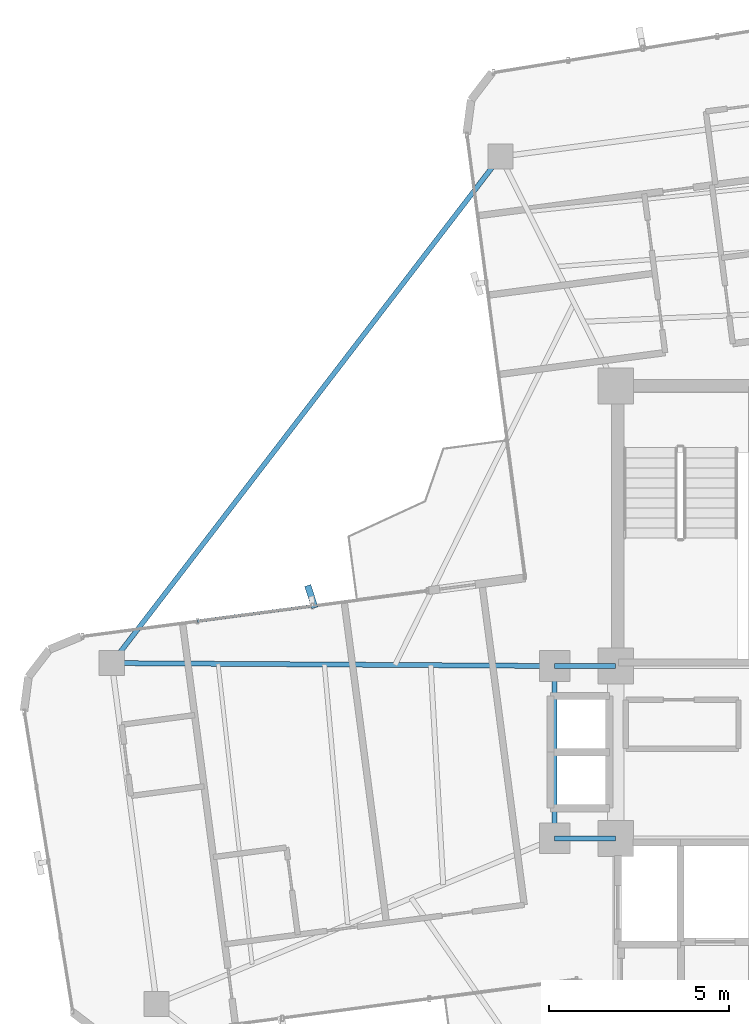
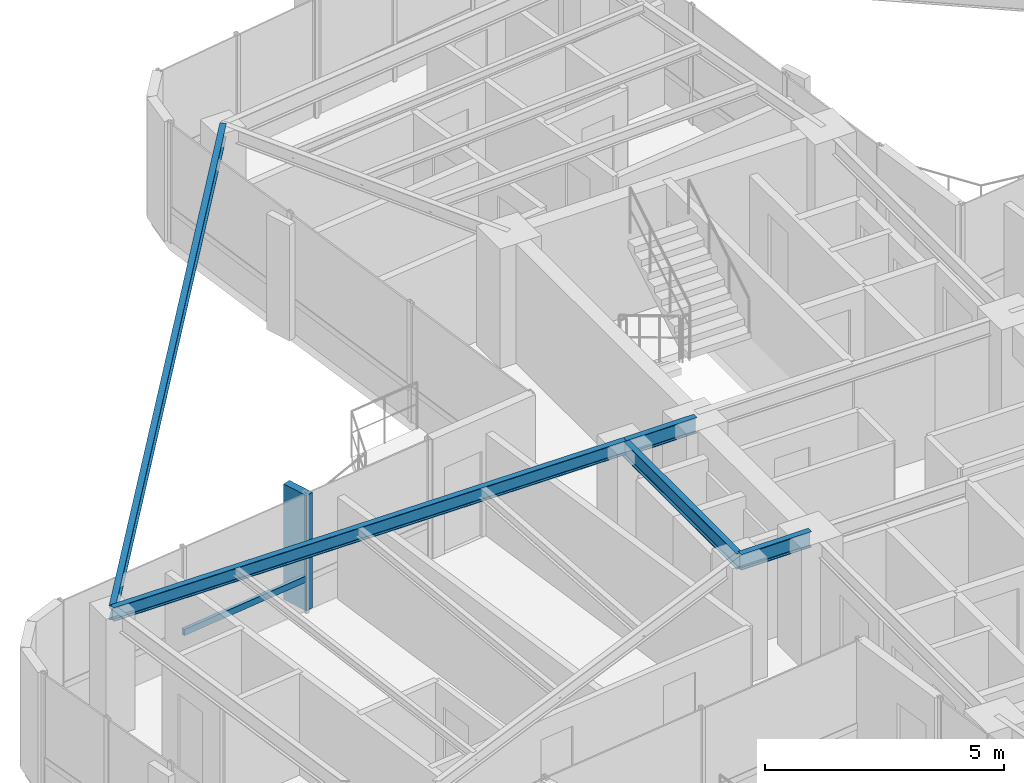
# One storey, part 8 of 23: 5 beams, 2 members, 1 element without a shape of its own.
"""IFC4 building model written with IfcOpenShell, lengths in metres."""

import ifcopenshell
import ifcopenshell.guid

model = None  # the IFC model being written
_history = None  # IfcOwnerHistory: only IFC2X3 demands one
_inside = {}  # id of a spatial element -> (the spatial element, [elements in it])
_under = {}  # id of a project, library or spatial element -> (it, [spatial elements below it])
_declared = {}  # id of a project -> (the project, [libraries it declares])
_typed = {}  # id of a type object -> (the type object, [elements of that type])
_made_of = {}  # id of a material, layer set ... -> (it, [elements and type objects made of it])


def new_model(schema):
    """Start an empty IFC model of exactly this schema.

    Asked for "IFC4X3", IfcOpenShell would pick the latest addendum, in which some entities
    have other attributes; the version numbers below select the first issue.
    IFC2X3 requires an IfcOwnerHistory on every rooted entity: one is made here for all.
    """
    global model, _history
    if schema == "IFC4X3":
        model = ifcopenshell.file(schema_version=(4, 3, 0, 0))
    else:
        model = ifcopenshell.file(schema=schema)
    _inside.clear()
    _under.clear()
    _declared.clear()
    _typed.clear()
    _made_of.clear()
    _history = None
    if model.schema == "IFC2X3":
        org = make("IfcOrganization", Name="unknown")
        user = make(
            "IfcPersonAndOrganization",
            ThePerson=make("IfcPerson", FamilyName="unknown"),
            TheOrganization=org,
        )
        app = make(
            "IfcApplication",
            ApplicationDeveloper=org,
            Version="unknown",
            ApplicationFullName="unknown",
            ApplicationIdentifier="unknown",
        )
        _history = make(
            "IfcOwnerHistory",
            OwningUser=user,
            OwningApplication=app,
            ChangeAction="ADDED",
            CreationDate=0,
        )
    return model


def make(cls, **values):
    """One entity of the class cls with the attributes given. An attribute that is None is left unset."""
    return model.create_entity(
        cls, **{name: value for name, value in values.items() if value is not None}
    )


def rooted(cls, **values):
    """An entity with a GlobalId (a new one), such as an element, a storey or a relation."""
    return make(cls, GlobalId=ifcopenshell.guid.new(), OwnerHistory=_history, **values)


def si_unit(unit_type, name, prefix=None):
    """IfcSIUnit, for example si_unit("LENGTHUNIT", "METRE", prefix="MILLI")."""
    return make("IfcSIUnit", UnitType=unit_type, Prefix=prefix, Name=name)


def assignment(units):
    """IfcUnitAssignment: the units of a project."""
    return None if units is None else make("IfcUnitAssignment", Units=units)


def point(xyz):
    """IfcCartesianPoint."""
    return None if xyz is None else make("IfcCartesianPoint", Coordinates=xyz)


def direction(xyz):
    """IfcDirection."""
    return None if xyz is None else make("IfcDirection", DirectionRatios=xyz)


def frame(location, z_axis=None, x_axis=None):
    """IfcAxis2Placement3D, a coordinate frame: its origin and axes. An axis left out is left unset."""
    return make(
        "IfcAxis2Placement3D",
        Location=point(location),
        Axis=direction(z_axis),
        RefDirection=direction(x_axis),
    )


def frame_2d(location, x_axis=None):
    """IfcAxis2Placement2D, a coordinate frame in the plane: its origin and x axis."""
    return make(
        "IfcAxis2Placement2D", Location=point(location), RefDirection=direction(x_axis)
    )


def origin():
    """The frame at (0, 0, 0) with its axes left unset."""
    return frame((0.0, 0.0, 0.0))


def origin_2d():
    """The frame at (0, 0) in the plane with its x axis left unset."""
    return frame_2d((0.0, 0.0))


def place(relative_to, where):
    """IfcLocalPlacement: puts the frame where relative to a parent placement (None: the world)."""
    return make(
        "IfcLocalPlacement", PlacementRelTo=relative_to, RelativePlacement=where
    )


def context(
    kind, dimensions, precision=None, world=None, true_north=None, identifier=None
):
    """IfcGeometricRepresentationContext, for example the 3D "Model" context."""
    return make(
        "IfcGeometricRepresentationContext",
        ContextIdentifier=identifier,
        ContextType=kind,
        CoordinateSpaceDimension=dimensions,
        Precision=precision,
        WorldCoordinateSystem=world,
        TrueNorth=true_north,
    )


def subcontext(parent, identifier, kind, view, scale=None):
    """IfcGeometricRepresentationSubContext, for example "Body" below "Model"."""
    return make(
        "IfcGeometricRepresentationSubContext",
        ContextIdentifier=identifier,
        ContextType=kind,
        ParentContext=parent,
        TargetScale=scale,
        TargetView=view,
    )


def project(units=None, contexts=None):
    """IfcProject with its units and contexts."""
    return rooted(
        "IfcProject",
        Name="project",
        RepresentationContexts=contexts,
        UnitsInContext=assignment(units),
    )


def spatial(cls, under=None, at=None, **own):
    """A site, building, storey or space (cls), placed at a placement, below another one or the project."""
    s = rooted(cls, ObjectPlacement=at, **own)
    if under is not None:
        _under.setdefault(under.id(), (under, []))[1].append(s)
    return s


def profile(cls, at=None, kind="AREA", **sizes):
    """A parametric profile (cls). Its sizes go by their IFC names, for example OverallWidth=200.0."""
    return make(cls, ProfileType=kind, Position=at, **sizes)


def rectangle(**sizes):
    """IfcRectangleProfileDef."""
    return profile("IfcRectangleProfileDef", **sizes)


def hollow_rectangle(**sizes):
    """IfcRectangleHollowProfileDef."""
    return profile("IfcRectangleHollowProfileDef", **sizes)


def i_section(**sizes):
    """IfcIShapeProfileDef."""
    return profile("IfcIShapeProfileDef", **sizes)


def extrude(swept, where, along, depth):
    """IfcExtrudedAreaSolid: the profile swept, set in the frame where, extruded along a direction by depth."""
    return make(
        "IfcExtrudedAreaSolid",
        SweptArea=swept,
        Position=where,
        ExtrudedDirection=direction(along),
        Depth=depth,
    )


def shape(context_of_items, identifier, shape_type, items):
    """IfcShapeRepresentation: the items that make up one representation, for example the "Body"."""
    return make(
        "IfcShapeRepresentation",
        ContextOfItems=context_of_items,
        RepresentationIdentifier=identifier,
        RepresentationType=shape_type,
        Items=items,
    )


def source(mapping_origin, context_of_items, identifier, shape_type, items):
    """IfcRepresentationMap: a shape defined once, which mapped items show again and again."""
    return make(
        "IfcRepresentationMap",
        MappingOrigin=mapping_origin,
        MappedRepresentation=shape(context_of_items, identifier, shape_type, items),
    )


def transform(
    local_origin,
    x_axis=None,
    y_axis=None,
    z_axis=None,
    scale=None,
    scale2=None,
    scale3=None,
    uniform=True,
):
    """IfcCartesianTransformationOperator3D, or its non-uniform kind. x_axis, y_axis, z_axis: its Axis1, 2, 3."""
    if uniform:
        return make(
            "IfcCartesianTransformationOperator3D",
            Axis1=direction(x_axis),
            Axis2=direction(y_axis),
            LocalOrigin=point(local_origin),
            Scale=scale,
            Axis3=direction(z_axis),
        )
    return make(
        "IfcCartesianTransformationOperator3DnonUniform",
        Axis1=direction(x_axis),
        Axis2=direction(y_axis),
        LocalOrigin=point(local_origin),
        Scale=scale,
        Axis3=direction(z_axis),
        Scale2=scale2,
        Scale3=scale3,
    )


def mapped(mapping_source, mapping_target):
    """IfcMappedItem: shows the shape of a source again, moved by a transform."""
    return make(
        "IfcMappedItem", MappingSource=mapping_source, MappingTarget=mapping_target
    )


def material(Name=None, Category=None):
    """IfcMaterial."""
    return make("IfcMaterial", Name=Name, Category=Category)


def material_profile(
    of_material, cross_section, Name=None, Category=None, Priority=None
):
    """IfcMaterialProfile: a cross section and its material."""
    return make(
        "IfcMaterialProfile",
        Name=Name,
        Material=of_material,
        Profile=cross_section,
        Priority=Priority,
        Category=Category,
    )


def profile_set(profiles, Name=None, composite=None):
    """IfcMaterialProfileSet."""
    return make(
        "IfcMaterialProfileSet",
        Name=Name,
        MaterialProfiles=profiles,
        CompositeProfile=composite,
    )


def made_of(thing, what):
    """Note that an element or type object is made of a material, layer set ...; save() writes the relation."""
    if what is not None:
        _made_of.setdefault(what.id(), (what, []))[1].append(thing)
    return thing


def type_object(cls, material=None, **own):
    """A type object (cls), such as IfcWallType, which elements share."""
    return made_of(rooted(cls, **own), material)


def element(
    cls,
    number,
    at=None,
    inside=None,
    cuts=None,
    type_object=None,
    material=None,
    context=None,
    identifier="Body",
    shape_type=None,
    held_by="IfcProductDefinitionShape",
    body=None,
    shapes=None,
    **own,
):
    """One element of the class cls, such as IfcWall. Its Tag is "e" and its number.

    at: its placement. inside: the storey or other place that contains it. cuts: it is an
    opening in that element (IfcRelVoidsElement). A single representation is given by context,
    identifier, shape_type and body (its items); several are given by shapes. held_by: the class
    of the entity that holds the representations. save() writes the other relations.
    """
    e = rooted(cls, Tag="e%d" % number, ObjectPlacement=at, **own)
    if body is not None:
        shapes = [shape(context, identifier, shape_type, body)]
    if shapes is not None:
        e.Representation = make(held_by, Representations=shapes)
    if inside is not None:
        _inside.setdefault(inside.id(), (inside, []))[1].append(e)
    if cuts is not None:
        rooted(
            "IfcRelVoidsElement", RelatingBuildingElement=cuts, RelatedOpeningElement=e
        )
    if type_object is not None:
        _typed.setdefault(type_object.id(), (type_object, []))[1].append(e)
    return made_of(e, material)


def aggregate(whole, parts):
    """IfcRelAggregates: a whole, such as a stair, and the parts it consists of."""
    return rooted("IfcRelAggregates", RelatingObject=whole, RelatedObjects=parts)


def save(model, path):
    """Write the relations noted so far, then the file.

    IfcRelAggregates (storeys below a building ...), IfcRelContainedInSpatialStructure (elements
    in a storey), IfcRelDefinesByType, IfcRelAssociatesMaterial and IfcRelDeclares: one each for
    every whole, place, type object, material and project.
    """
    for whole, parts in _under.values():
        aggregate(whole, parts)
    for where, things in _inside.values():
        rooted(
            "IfcRelContainedInSpatialStructure",
            RelatedElements=things,
            RelatingStructure=where,
        )
    for kind, things in _typed.values():
        rooted("IfcRelDefinesByType", RelatedObjects=things, RelatingType=kind)
    for what, things in _made_of.values():
        rooted("IfcRelAssociatesMaterial", RelatedObjects=things, RelatingMaterial=what)
    for by, libraries in _declared.values():
        rooted("IfcRelDeclares", RelatingContext=by, RelatedDefinitions=libraries)
    model.write(path)


model = new_model("IFC4")

# Units and contexts
model_context = context("Model", 3, precision=1e-05, world=origin(), true_north=direction((0.0, 1.0)))
body_context = subcontext(model_context, "Body", "Model", "MODEL_VIEW")
ifc_project = project(units=[si_unit("LENGTHUNIT", "METRE"), si_unit("AREAUNIT", "SQUARE_METRE"), si_unit("VOLUMEUNIT", "CUBIC_METRE"), si_unit("PLANEANGLEUNIT", "RADIAN"), si_unit("MASSUNIT", "GRAM", prefix="KILO")], contexts=[model_context])

# Site, building, storey
site_placement = place(None, origin())
site = spatial("IfcSite", under=ifc_project, at=site_placement, CompositionType="ELEMENT")
building_placement = place(site_placement, origin())
building = spatial("IfcBuilding", under=site, at=building_placement, Name="Sahyath Konkavel Grand Hotel", CompositionType="ELEMENT")
storey_placement = place(building_placement, frame((0.0, 0.0, 226.60009765625)))
storey = spatial("IfcBuildingStorey", under=building, at=storey_placement, Name="L63", CompositionType="ELEMENT", Elevation=226.60009765625)

# Beams
ifc_material_1 = material(Name="Steel E350", Category="steel")
ifc_material_profile_1 = material_profile(ifc_material_1, i_section(OverallWidth=0.139892578125, OverallDepth=0.39990234375, WebThickness=0.0087890625, FlangeThickness=0.01611328125, FilletRadius=0.013916015625, at=origin_2d()), Name="ISMB 400")
ifc_profile_set_1 = profile_set([ifc_material_profile_1], Name="Steel E350")
beam_type_1 = type_object("IfcBeamType", Name="BM-ISMB400", PredefinedType="BEAM", material=ifc_profile_set_1)
shared_shape_1 = source(origin(), body_context, "Body", "SweptSolid", [
    extrude(i_section(OverallWidth=0.139892578125, OverallDepth=0.39990234375, WebThickness=0.0087890625, FlangeThickness=0.01611328125, FilletRadius=0.013916015625, at=origin_2d()), origin(), (0.0, 0.0, 1.0), 1.699951171875),
])
for number, where, z_axis, x_axis, name in (
    (1, (-5.5, 2.39990234375, 2.849853515625), (1.0, 0.0, 0.0), (0.0, 1.0, 0.0), "str:bm:L63:HB-NW"),
    (2, (-5.5, -2.39990234375, 2.849853515625), (1.0, 0.0, 0.0), (0.0, 1.0, 0.0), "str:bm:L63:HB-SW"),
):
    element("IfcBeam", number, at=place(storey_placement, frame(where, z_axis=z_axis, x_axis=x_axis)), inside=storey, type_object=beam_type_1, Name=name, PredefinedType="BEAM", context=body_context, shape_type="MappedRepresentation", body=[
        mapped(shared_shape_1, transform((0.0, 0.0, 0.0), scale=1.0)),
    ])
shared_shape_2 = source(origin(), body_context, "Body", "SweptSolid", [
    extrude(i_section(OverallWidth=0.139892578125, OverallDepth=0.39990234375, WebThickness=0.0087890625, FlangeThickness=0.01611328125, FilletRadius=0.013916015625, at=origin_2d()), origin(), (0.0, 0.0, 1.0), 4.7998046875),
])
beam_1_placement = place(storey_placement, frame((-5.5, -2.39990234375, 2.849853515625), z_axis=(0.0, 1.0, 0.0), x_axis=(-1.0, 0.0, 0.0)))
element("IfcBeam", 3, at=beam_1_placement, inside=storey, type_object=beam_type_1, Name="str:bm:L63:HB-W", PredefinedType="BEAM", context=body_context, shape_type="MappedRepresentation", body=[
    mapped(shared_shape_2, transform((0.0, 0.0, 0.0), scale=1.0)),
])
ifc_material_profile_2 = material_profile(ifc_material_1, i_section(OverallWidth=0.139892578125, OverallDepth=0.35009765625, WebThickness=0.008056640625, FlangeThickness=0.01416015625, FilletRadius=0.013916015625, at=origin_2d()), Name="ISMB 350")
ifc_profile_set_2 = profile_set([ifc_material_profile_2], Name="Steel E350")
beam_type_2 = type_object("IfcBeamType", Name="BM-ISMB350", PredefinedType="BEAM", material=ifc_profile_set_2)
shared_shape_3 = source(origin(), body_context, "Body", "SweptSolid", [
    extrude(i_section(OverallWidth=0.139892578125, OverallDepth=0.35009765625, WebThickness=0.008056640625, FlangeThickness=0.01416015625, FilletRadius=0.013916015625, at=origin_2d()), origin(), (0.0, 0.0, 1.0), 12.336669921875),
])
beam_2_placement = place(storey_placement, frame((-5.5, 2.39990234375, 2.875), z_axis=(-0.999978285705, 0.006590001368, 0.0), x_axis=(-0.006590001368, -0.999978285705, 0.0)))
element("IfcBeam", 4, at=beam_2_placement, inside=storey, type_object=beam_type_2, Name="L63 Cruciform Radial Girder WA", PredefinedType="BEAM", context=body_context, shape_type="MappedRepresentation", body=[
    mapped(shared_shape_3, transform((0.0, 0.0, 0.0), scale=1.0)),
])
shared_shape_4 = source(origin(), body_context, "Body", "SweptSolid", [
    extrude(i_section(OverallWidth=0.139892578125, OverallDepth=0.35009765625, WebThickness=0.008056640625, FlangeThickness=0.01416015625, FilletRadius=0.013916015625, at=origin_2d()), origin(), (0.0, 0.0, 1.0), 17.779296875),
])
beam_3_placement = place(storey_placement, frame((-7.012939453125, 16.58642578125, 2.875), z_axis=(-0.608767334395, -0.793348808894, 0.0), x_axis=(0.793348808894, -0.608767334395, 0.0)))
element("IfcBeam", 5, at=beam_3_placement, inside=storey, type_object=beam_type_2, Name="L63 Re-Entrant Tie Beam NW", PredefinedType="BEAM", context=body_context, shape_type="MappedRepresentation", body=[
    mapped(shared_shape_4, transform((0.0, 0.0, 0.0), scale=1.0)),
])

# Curtain wall, members
ifc_material_2 = material(Name="Anodised Bronze Aluminium & Low-E Glazing", Category="aluminium")
curtain_wall_type = type_object("IfcCurtainWallType", Name="CW-ZONE4", PredefinedType="NOTDEFINED", material=ifc_material_2)
curtain_wall_placement = place(storey_placement, origin())
curtain_wall = element("IfcCurtainWall", 6, at=curtain_wall_placement, inside=storey, type_object=curtain_wall_type, Name="L63 Unitised Curtain Wall F16", PredefinedType="NOTDEFINED")
ifc_material_3 = material(Name="Warm Buff Sandstone Cladding on Concrete C50/60", Category="masonry")
ifc_material_profile_3 = material_profile(ifc_material_3, rectangle(XDim=0.179931640625, YDim=0.64990234375, at=origin_2d()), Name="FIN 180x650")
ifc_profile_set_3 = profile_set([ifc_material_profile_3], Name="Warm Buff Sandstone Cladding on Concrete C50/60")
member_type_1 = type_object("IfcMemberType", Name="FIN-SANDSTONE-650", PredefinedType="MULLION", material=ifc_profile_set_3)
shared_shape_5 = source(origin(), body_context, "Body", "SweptSolid", [
    extrude(rectangle(XDim=0.179931640625, YDim=0.64990234375, at=origin_2d()), origin(), (0.0, 0.0, 1.0), 2.9501953125),
])
member_1_placement = place(storey_placement, frame((-12.279296875, 4.33251953125, 0.0498046875), z_axis=(0.0, 0.0, 1.0), x_axis=(0.951808747363, 0.306692204733, 0.0)))
member_1 = element("IfcMember", 7, at=member_1_placement, type_object=member_type_1, Name="L63 Sandstone Vertical Solar Fin FIN F16-1", PredefinedType="MULLION", context=body_context, shape_type="MappedRepresentation", body=[
    mapped(shared_shape_5, transform((0.0, 0.0, 0.0), scale=1.0)),
])
ifc_material_4 = material(Name="Anodised Bronze Aluminium", Category="aluminium")
ifc_material_profile_4 = material_profile(ifc_material_4, hollow_rectangle(XDim=0.080078125, YDim=0.159912109375, WallThickness=0.006103515625, at=origin_2d()), Name="RHS 160x80x6")
ifc_profile_set_4 = profile_set([ifc_material_profile_4], Name="Anodised Bronze Aluminium")
member_type_2 = type_object("IfcMemberType", Name="CW-TRN-160", PredefinedType="USERDEFINED", material=ifc_profile_set_4)
shared_shape_6 = source(origin(), body_context, "Body", "SweptSolid", [
    extrude(hollow_rectangle(XDim=0.080078125, YDim=0.159912109375, WallThickness=0.006103515625, at=origin_2d()), origin(), (0.0, 0.0, 1.0), 3.23046875),
])
member_2_placement = place(storey_placement, frame((-12.245361328125, 4.07470703125, 0.849853515625), z_axis=(-0.991436537874, -0.130589399912, 0.0), x_axis=(0.130589399912, -0.991436537874, 0.0)))
member_2 = element("IfcMember", 8, at=member_2_placement, type_object=member_type_2, Name="L63 Curtain Wall Transom F16-1-spandrel", ObjectType="TRANSOM", PredefinedType="USERDEFINED", context=body_context, shape_type="MappedRepresentation", body=[
    mapped(shared_shape_6, transform((0.0, 0.0, 0.0), scale=1.0)),
])
aggregate(curtain_wall, [member_1, member_2])

save(model, "model.ifc")
